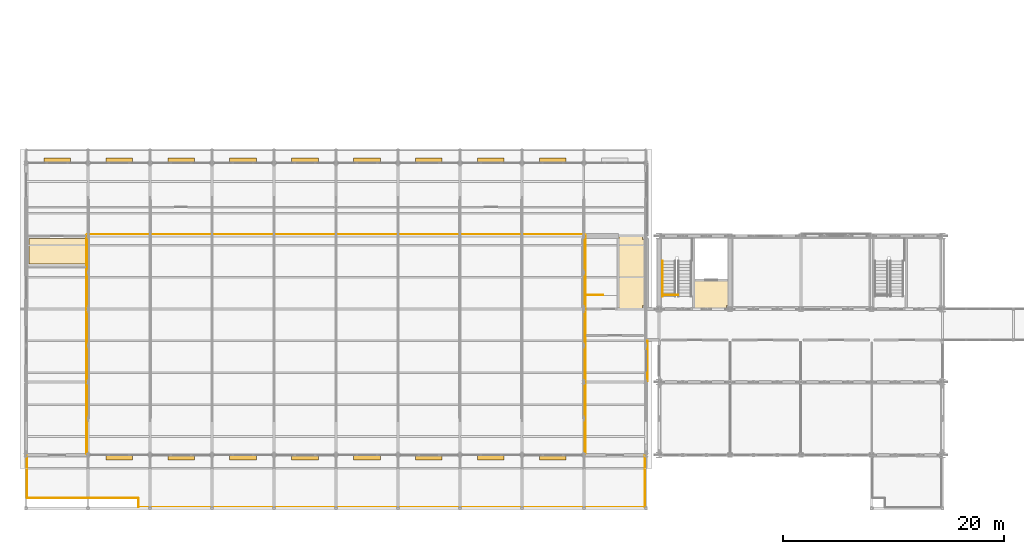
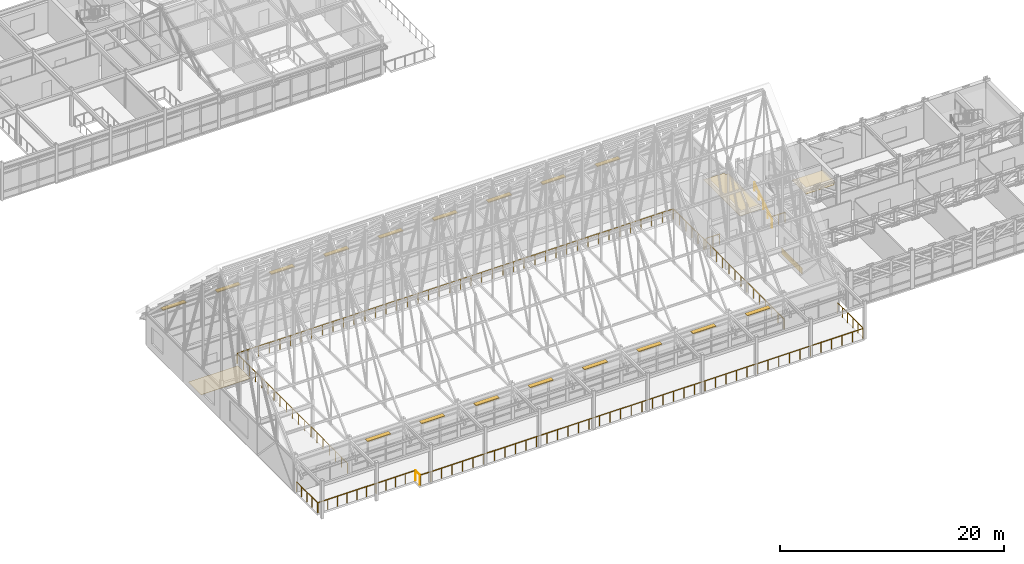
# One storey, part 139 of 144: 17 shading devices, 11 railings, 4 coverings.
"""IFC4 building model written with IfcOpenShell, lengths in metres."""

from ifc_helpers import new_model, si_unit, direction, frame, origin, origin_2d, place, context, subcontext, project, spatial, polyline, rectangle, circle, outline, extrude, material, layer, layer_set, type_object, element, save


model = new_model("IFC4")

# Units and contexts
model_context = context("Model", 3, precision=1e-05, world=origin(), true_north=direction((0.0, 1.0)))
body_context = subcontext(model_context, "Body", "Model", "MODEL_VIEW")
ifc_project = project(units=[si_unit("LENGTHUNIT", "METRE"), si_unit("AREAUNIT", "SQUARE_METRE"), si_unit("VOLUMEUNIT", "CUBIC_METRE"), si_unit("PLANEANGLEUNIT", "RADIAN"), si_unit("MASSUNIT", "GRAM", prefix="KILO")], contexts=[model_context])

# Site, building, storey
site_placement = place(None, origin())
site = spatial("IfcSite", under=ifc_project, at=site_placement, CompositionType="ELEMENT")
building_placement = place(site_placement, origin())
building = spatial("IfcBuilding", under=site, at=building_placement, Name="Trelmorton Wharf Fire Station", CompositionType="ELEMENT")
storey_placement = place(building_placement, frame((0.0, 0.0, 5.39990234375)))
storey = spatial("IfcBuildingStorey", under=building, at=storey_placement, Name="L01", CompositionType="ELEMENT", Elevation=5.39990234375)

# Coverings
ifc_material_1 = material(Name="Mineral fibre acoustic ceiling")
ifc_layer_1 = layer(ifc_material_1, 0.02001953125)
ifc_layer_set_1 = layer_set([ifc_layer_1], Name="Mineral fibre acoustic ceiling")
covering_type_1 = type_object("IfcCoveringType", Name="CV_CEIL_ACOU", PredefinedType="CEILING", material=ifc_layer_set_1)
covering_1_placement = place(storey_placement, frame((0.0, 0.0, 3.280029296875)))
element("IfcCovering", 1, at=covering_1_placement, inside=storey, type_object=covering_type_1, Name="CV-CLG-002", PredefinedType="CEILING", context=body_context, shape_type="SweptSolid", body=[
    extrude(outline(polyline([(54.360107421875, 27.56005859375), (56.5, 27.56005859375), (56.5, 27.300048828125), (56.760009765625, 27.300048828125), (56.760009765625, 21.300048828125), (56.5, 21.300048828125), (56.5, 21.0400390625), (54.360107421875, 21.0400390625), (54.360107421875, 27.56005859375)])), origin(), (0.0, 0.0, 1.0), 0.02001953125),
])
covering_2_placement = place(storey_placement, frame((0.0, 0.0, 3.280029296875)))
element("IfcCovering", 2, at=covering_2_placement, inside=storey, type_object=covering_type_1, Name="CV-CLG-004", PredefinedType="CEILING", context=body_context, shape_type="SweptSolid", body=[
    extrude(outline(polyline([(61.159912109375, 21.0400390625), (61.159912109375, 23.56005859375), (64.360107421875, 23.56005859375), (64.360107421875, 21.300048828125), (64.10009765625, 21.300048828125), (64.10009765625, 21.0400390625), (61.159912109375, 21.0400390625)])), origin(), (0.0, 0.0, 1.0), 0.02001953125),
])
ifc_material_2 = material(Name="Architectural terracotta cladding", Category="masonry")
ifc_layer_2 = layer(ifc_material_2, 0.044921875)
ifc_layer_set_2 = layer_set([ifc_layer_2], Name="Architectural terracotta cladding")
covering_type_2 = type_object("IfcCoveringType", Name="CV_CLAD_TER", PredefinedType="CLADDING", material=ifc_layer_set_2)
covering_3_placement = place(storey_placement, frame((56.965087890625, 16.300048828125, 0.0302734375), z_axis=(0.0, 0.0, 1.0), x_axis=(0.0, -1.0, 0.0)))
element("IfcCovering", 3, at=covering_3_placement, inside=storey, type_object=covering_type_2, Name="CV-TER-0003", PredefinedType="CLADDING", context=body_context, shape_type="SweptSolid", body=[
    extrude(rectangle(XDim=3.669921875, YDim=0.044921875, at=origin_2d()), origin(), (0.0, 0.0, 1.0), 0.659912109375),
])
ifc_material_3 = material(Name="Quarry tile wet-area flooring")
ifc_layer_3 = layer(ifc_material_3, 0.02001953125)
ifc_layer_set_3 = layer_set([ifc_layer_3], Name="Quarry tile wet-area flooring")
covering_type_3 = type_object("IfcCoveringType", Name="CV_FLOR_TILE", PredefinedType="FLOORING", material=ifc_layer_set_3)
covering_4_placement = place(storey_placement, origin())
element("IfcCovering", 4, at=covering_4_placement, inside=storey, type_object=covering_type_3, Name="CV-FLR-002", PredefinedType="FLOORING", context=body_context, shape_type="SweptSolid", body=[
    extrude(outline(polyline([(6.14990234375, 25.050048828125), (6.14990234375, 27.35009765625), (1.050048828125, 27.35009765625), (1.050048828125, 25.050048828125), (6.14990234375, 25.050048828125)])), origin(), (0.0, 0.0, 1.0), 0.02001953125),
])

# Railings
ifc_material_4 = material(Name="Signal-red architectural steel Grade 350", Category="steel")
railing_type_1 = type_object("IfcRailingType", Name="RL_BAL_RED", PredefinedType="BALUSTRADE", material=ifc_material_4)
railing_1_placement = place(storey_placement, frame((6.280029296875, 7.919921875, 0.0)))
element("IfcRailing", 5, at=railing_1_placement, inside=storey, type_object=railing_type_1, Name="RL-DECK-L01-001", PredefinedType="BALUSTRADE", context=body_context, shape_type="SweptSolid", body=[
    extrude(circle(Radius=0.02392578125, at=origin_2d()), frame((0.0, 0.0, 1.09619140625), z_axis=(0.0, 1.0, 0.0), x_axis=(-1.0, 0.0, 0.0)), (0.0, 0.0, 1.0), 19.760009765625),
    extrude(circle(Radius=0.02099609375, at=origin_2d()), origin(), (0.0, 0.0, 1.0), 1.072021484375),
    extrude(circle(Radius=0.02099609375, at=origin_2d()), frame((0.0, 1.09765625, 0.0)), (0.0, 0.0, 1.0), 1.072021484375),
    extrude(circle(Radius=0.02099609375, at=origin_2d()), frame((0.0, 2.195556640625, 0.0)), (0.0, 0.0, 1.0), 1.072021484375),
    extrude(circle(Radius=0.02099609375, at=origin_2d()), frame((0.0, 3.29345703125, 0.0)), (0.0, 0.0, 1.0), 1.072021484375),
    extrude(circle(Radius=0.02099609375, at=origin_2d()), frame((0.0, 4.39111328125, 0.0)), (0.0, 0.0, 1.0), 1.072021484375),
    extrude(circle(Radius=0.02099609375, at=origin_2d()), frame((0.0, 5.48876953125, 0.0)), (0.0, 0.0, 1.0), 1.072021484375),
    extrude(circle(Radius=0.02099609375, at=origin_2d()), frame((0.0, 6.586669921875, 0.0)), (0.0, 0.0, 1.0), 1.072021484375),
    extrude(circle(Radius=0.02099609375, at=origin_2d()), frame((0.0, 7.6845703125, 0.0)), (0.0, 0.0, 1.0), 1.072021484375),
    extrude(circle(Radius=0.02099609375, at=origin_2d()), frame((0.0, 8.7822265625, 0.0)), (0.0, 0.0, 1.0), 1.072021484375),
    extrude(circle(Radius=0.02099609375, at=origin_2d()), frame((0.0, 9.8798828125, 0.0)), (0.0, 0.0, 1.0), 1.072021484375),
    extrude(circle(Radius=0.02099609375, at=origin_2d()), frame((0.0, 10.977783203125, 0.0)), (0.0, 0.0, 1.0), 1.072021484375),
    extrude(circle(Radius=0.02099609375, at=origin_2d()), frame((0.0, 12.07568359375, 0.0)), (0.0, 0.0, 1.0), 1.072021484375),
    extrude(circle(Radius=0.02099609375, at=origin_2d()), frame((0.0, 13.17333984375, 0.0)), (0.0, 0.0, 1.0), 1.072021484375),
    extrude(circle(Radius=0.02099609375, at=origin_2d()), frame((0.0, 14.27099609375, 0.0)), (0.0, 0.0, 1.0), 1.072021484375),
    extrude(circle(Radius=0.02099609375, at=origin_2d()), frame((0.0, 15.368896484375, 0.0)), (0.0, 0.0, 1.0), 1.072021484375),
    extrude(circle(Radius=0.02099609375, at=origin_2d()), frame((0.0, 16.466796875, 0.0)), (0.0, 0.0, 1.0), 1.072021484375),
    extrude(circle(Radius=0.02099609375, at=origin_2d()), frame((0.0, 17.564453125, 0.0)), (0.0, 0.0, 1.0), 1.072021484375),
    extrude(circle(Radius=0.02099609375, at=origin_2d()), frame((0.0, 18.662109375, 0.0)), (0.0, 0.0, 1.0), 1.072021484375),
    extrude(circle(Radius=0.02099609375, at=origin_2d()), frame((0.0, 19.760009765625, 0.0)), (0.0, 0.0, 1.0), 1.072021484375),
])
railing_2_placement = place(storey_placement, frame((6.320068359375, 27.719970703125, 0.0)))
element("IfcRailing", 6, at=railing_2_placement, inside=storey, type_object=railing_type_1, Name="RL-DECK-L01-002", PredefinedType="BALUSTRADE", context=body_context, shape_type="SweptSolid", body=[
    extrude(circle(Radius=0.02392578125, at=origin_2d()), frame((0.0, 0.0, 1.09619140625), z_axis=(1.0, 0.0, 0.0), x_axis=(0.0, 1.0, 0.0)), (0.0, 0.0, 1.0), 44.9599609375),
    extrude(circle(Radius=0.02099609375, at=origin_2d()), origin(), (0.0, 0.0, 1.0), 1.072021484375),
    extrude(circle(Radius=0.02099609375, at=origin_2d()), frame((1.0966796875, 0.0, 0.0)), (0.0, 0.0, 1.0), 1.072021484375),
    extrude(circle(Radius=0.02099609375, at=origin_2d()), frame((2.193115234375, 0.0, 0.0)), (0.0, 0.0, 1.0), 1.072021484375),
    extrude(circle(Radius=0.02099609375, at=origin_2d()), frame((3.289794921875, 0.0, 0.0)), (0.0, 0.0, 1.0), 1.072021484375),
    extrude(circle(Radius=0.02099609375, at=origin_2d()), frame((4.38623046875, 0.0, 0.0)), (0.0, 0.0, 1.0), 1.072021484375),
    extrude(circle(Radius=0.02099609375, at=origin_2d()), frame((5.48291015625, 0.0, 0.0)), (0.0, 0.0, 1.0), 1.072021484375),
    extrude(circle(Radius=0.02099609375, at=origin_2d()), frame((6.57958984375, 0.0, 0.0)), (0.0, 0.0, 1.0), 1.072021484375),
    extrude(circle(Radius=0.02099609375, at=origin_2d()), frame((7.676025390625, 0.0, 0.0)), (0.0, 0.0, 1.0), 1.072021484375),
    extrude(circle(Radius=0.02099609375, at=origin_2d()), frame((8.772705078125, 0.0, 0.0)), (0.0, 0.0, 1.0), 1.072021484375),
    extrude(circle(Radius=0.02099609375, at=origin_2d()), frame((9.869140625, 0.0, 0.0)), (0.0, 0.0, 1.0), 1.072021484375),
    extrude(circle(Radius=0.02099609375, at=origin_2d()), frame((10.9658203125, 0.0, 0.0)), (0.0, 0.0, 1.0), 1.072021484375),
    extrude(circle(Radius=0.02099609375, at=origin_2d()), frame((12.0625, 0.0, 0.0)), (0.0, 0.0, 1.0), 1.072021484375),
    extrude(circle(Radius=0.02099609375, at=origin_2d()), frame((13.158935546875, 0.0, 0.0)), (0.0, 0.0, 1.0), 1.072021484375),
    extrude(circle(Radius=0.02099609375, at=origin_2d()), frame((14.255615234375, 0.0, 0.0)), (0.0, 0.0, 1.0), 1.072021484375),
    extrude(circle(Radius=0.02099609375, at=origin_2d()), frame((15.352294921875, 0.0, 0.0)), (0.0, 0.0, 1.0), 1.072021484375),
    extrude(circle(Radius=0.02099609375, at=origin_2d()), frame((16.44873046875, 0.0, 0.0)), (0.0, 0.0, 1.0), 1.072021484375),
    extrude(circle(Radius=0.02099609375, at=origin_2d()), frame((17.54541015625, 0.0, 0.0)), (0.0, 0.0, 1.0), 1.072021484375),
    extrude(circle(Radius=0.02099609375, at=origin_2d()), frame((18.641845703125, 0.0, 0.0)), (0.0, 0.0, 1.0), 1.072021484375),
    extrude(circle(Radius=0.02099609375, at=origin_2d()), frame((19.738525390625, 0.0, 0.0)), (0.0, 0.0, 1.0), 1.072021484375),
    extrude(circle(Radius=0.02099609375, at=origin_2d()), frame((20.835205078125, 0.0, 0.0)), (0.0, 0.0, 1.0), 1.072021484375),
    extrude(circle(Radius=0.02099609375, at=origin_2d()), frame((21.931640625, 0.0, 0.0)), (0.0, 0.0, 1.0), 1.072021484375),
    extrude(circle(Radius=0.02099609375, at=origin_2d()), frame((23.0283203125, 0.0, 0.0)), (0.0, 0.0, 1.0), 1.072021484375),
    extrude(circle(Radius=0.02099609375, at=origin_2d()), frame((24.124755859375, 0.0, 0.0)), (0.0, 0.0, 1.0), 1.072021484375),
    extrude(circle(Radius=0.02099609375, at=origin_2d()), frame((25.221435546875, 0.0, 0.0)), (0.0, 0.0, 1.0), 1.072021484375),
    extrude(circle(Radius=0.02099609375, at=origin_2d()), frame((26.318115234375, 0.0, 0.0)), (0.0, 0.0, 1.0), 1.072021484375),
    extrude(circle(Radius=0.02099609375, at=origin_2d()), frame((27.41455078125, 0.0, 0.0)), (0.0, 0.0, 1.0), 1.072021484375),
    extrude(circle(Radius=0.02099609375, at=origin_2d()), frame((28.51123046875, 0.0, 0.0)), (0.0, 0.0, 1.0), 1.072021484375),
    extrude(circle(Radius=0.02099609375, at=origin_2d()), frame((29.607666015625, 0.0, 0.0)), (0.0, 0.0, 1.0), 1.072021484375),
    extrude(circle(Radius=0.02099609375, at=origin_2d()), frame((30.704345703125, 0.0, 0.0)), (0.0, 0.0, 1.0), 1.072021484375),
    extrude(circle(Radius=0.02099609375, at=origin_2d()), frame((31.801025390625, 0.0, 0.0)), (0.0, 0.0, 1.0), 1.072021484375),
    extrude(circle(Radius=0.02099609375, at=origin_2d()), frame((32.8974609375, 0.0, 0.0)), (0.0, 0.0, 1.0), 1.072021484375),
    extrude(circle(Radius=0.02099609375, at=origin_2d()), frame((33.994140625, 0.0, 0.0)), (0.0, 0.0, 1.0), 1.072021484375),
    extrude(circle(Radius=0.02099609375, at=origin_2d()), frame((35.0908203125, 0.0, 0.0)), (0.0, 0.0, 1.0), 1.072021484375),
    extrude(circle(Radius=0.02099609375, at=origin_2d()), frame((36.187255859375, 0.0, 0.0)), (0.0, 0.0, 1.0), 1.072021484375),
    extrude(circle(Radius=0.02099609375, at=origin_2d()), frame((37.283935546875, 0.0, 0.0)), (0.0, 0.0, 1.0), 1.072021484375),
    extrude(circle(Radius=0.02099609375, at=origin_2d()), frame((38.38037109375, 0.0, 0.0)), (0.0, 0.0, 1.0), 1.072021484375),
    extrude(circle(Radius=0.02099609375, at=origin_2d()), frame((39.47705078125, 0.0, 0.0)), (0.0, 0.0, 1.0), 1.072021484375),
    extrude(circle(Radius=0.02099609375, at=origin_2d()), frame((40.57373046875, 0.0, 0.0)), (0.0, 0.0, 1.0), 1.072021484375),
    extrude(circle(Radius=0.02099609375, at=origin_2d()), frame((41.670166015625, 0.0, 0.0)), (0.0, 0.0, 1.0), 1.072021484375),
    extrude(circle(Radius=0.02099609375, at=origin_2d()), frame((42.766845703125, 0.0, 0.0)), (0.0, 0.0, 1.0), 1.072021484375),
    extrude(circle(Radius=0.02099609375, at=origin_2d()), frame((43.86328125, 0.0, 0.0)), (0.0, 0.0, 1.0), 1.072021484375),
    extrude(circle(Radius=0.02099609375, at=origin_2d()), frame((44.9599609375, 0.0, 0.0)), (0.0, 0.0, 1.0), 1.072021484375),
])
railing_3_placement = place(storey_placement, frame((51.320068359375, 27.679931640625, 0.0)))
element("IfcRailing", 7, at=railing_3_placement, inside=storey, type_object=railing_type_1, Name="RL-DECK-L01-003", PredefinedType="BALUSTRADE", context=body_context, shape_type="SweptSolid", body=[
    extrude(circle(Radius=0.02392578125, at=origin_2d()), frame((0.0, 0.0, 1.09619140625), z_axis=(0.0, -1.0, 0.0), x_axis=(1.0, 0.0, 0.0)), (0.0, 0.0, 1.0), 19.760009765625),
    extrude(circle(Radius=0.02099609375, at=origin_2d()), origin(), (0.0, 0.0, 1.0), 1.072021484375),
    extrude(circle(Radius=0.02099609375, at=origin_2d()), frame((0.0, -1.09765625, 0.0)), (0.0, 0.0, 1.0), 1.072021484375),
    extrude(circle(Radius=0.02099609375, at=origin_2d()), frame((0.0, -2.195556640625, 0.0)), (0.0, 0.0, 1.0), 1.072021484375),
    extrude(circle(Radius=0.02099609375, at=origin_2d()), frame((0.0, -3.29345703125, 0.0)), (0.0, 0.0, 1.0), 1.072021484375),
    extrude(circle(Radius=0.02099609375, at=origin_2d()), frame((0.0, -4.39111328125, 0.0)), (0.0, 0.0, 1.0), 1.072021484375),
    extrude(circle(Radius=0.02099609375, at=origin_2d()), frame((0.0, -5.48876953125, 0.0)), (0.0, 0.0, 1.0), 1.072021484375),
    extrude(circle(Radius=0.02099609375, at=origin_2d()), frame((0.0, -6.586669921875, 0.0)), (0.0, 0.0, 1.0), 1.072021484375),
    extrude(circle(Radius=0.02099609375, at=origin_2d()), frame((0.0, -7.6845703125, 0.0)), (0.0, 0.0, 1.0), 1.072021484375),
    extrude(circle(Radius=0.02099609375, at=origin_2d()), frame((0.0, -8.7822265625, 0.0)), (0.0, 0.0, 1.0), 1.072021484375),
    extrude(circle(Radius=0.02099609375, at=origin_2d()), frame((0.0, -9.8798828125, 0.0)), (0.0, 0.0, 1.0), 1.072021484375),
    extrude(circle(Radius=0.02099609375, at=origin_2d()), frame((0.0, -10.977783203125, 0.0)), (0.0, 0.0, 1.0), 1.072021484375),
    extrude(circle(Radius=0.02099609375, at=origin_2d()), frame((0.0, -12.07568359375, 0.0)), (0.0, 0.0, 1.0), 1.072021484375),
    extrude(circle(Radius=0.02099609375, at=origin_2d()), frame((0.0, -13.17333984375, 0.0)), (0.0, 0.0, 1.0), 1.072021484375),
    extrude(circle(Radius=0.02099609375, at=origin_2d()), frame((0.0, -14.27099609375, 0.0)), (0.0, 0.0, 1.0), 1.072021484375),
    extrude(circle(Radius=0.02099609375, at=origin_2d()), frame((0.0, -15.368896484375, 0.0)), (0.0, 0.0, 1.0), 1.072021484375),
    extrude(circle(Radius=0.02099609375, at=origin_2d()), frame((0.0, -16.466796875, 0.0)), (0.0, 0.0, 1.0), 1.072021484375),
    extrude(circle(Radius=0.02099609375, at=origin_2d()), frame((0.0, -17.564453125, 0.0)), (0.0, 0.0, 1.0), 1.072021484375),
    extrude(circle(Radius=0.02099609375, at=origin_2d()), frame((0.0, -18.662109375, 0.0)), (0.0, 0.0, 1.0), 1.072021484375),
    extrude(circle(Radius=0.02099609375, at=origin_2d()), frame((0.0, -19.760009765625, 0.0)), (0.0, 0.0, 1.0), 1.072021484375),
])
railing_4_placement = place(storey_placement, frame((0.8798828125, 7.760009765625, 0.0)))
element("IfcRailing", 8, at=railing_4_placement, inside=storey, type_object=railing_type_1, Name="RL-DECK-L01-008", PredefinedType="BALUSTRADE", context=body_context, shape_type="SweptSolid", body=[
    extrude(circle(Radius=0.02392578125, at=origin_2d()), frame((0.0, 0.0, 1.09619140625), z_axis=(0.0, -1.0, 0.0), x_axis=(1.0, 0.0, 0.0)), (0.0, 0.0, 1.0), 3.780029296875),
    extrude(circle(Radius=0.02099609375, at=origin_2d()), origin(), (0.0, 0.0, 1.0), 1.072021484375),
    extrude(circle(Radius=0.02099609375, at=origin_2d()), frame((0.0, -0.945068359375, 0.0)), (0.0, 0.0, 1.0), 1.072021484375),
    extrude(circle(Radius=0.02099609375, at=origin_2d()), frame((0.0, -1.89013671875, 0.0)), (0.0, 0.0, 1.0), 1.072021484375),
    extrude(circle(Radius=0.02099609375, at=origin_2d()), frame((0.0, -2.8349609375, 0.0)), (0.0, 0.0, 1.0), 1.072021484375),
    extrude(circle(Radius=0.02099609375, at=origin_2d()), frame((0.0, -3.780029296875, 0.0)), (0.0, 0.0, 1.0), 1.072021484375),
])
railing_5_placement = place(storey_placement, frame((0.919921875, 3.93994140625, 0.0)))
element("IfcRailing", 9, at=railing_5_placement, inside=storey, type_object=railing_type_1, Name="RL-DECK-L01-009", PredefinedType="BALUSTRADE", context=body_context, shape_type="SweptSolid", body=[
    extrude(circle(Radius=0.02392578125, at=origin_2d()), frame((0.0, 0.0, 1.09619140625), z_axis=(1.0, 0.0, 0.0), x_axis=(0.0, 1.0, 0.0)), (0.0, 0.0, 1.0), 10.0),
    extrude(circle(Radius=0.02099609375, at=origin_2d()), origin(), (0.0, 0.0, 1.0), 1.072021484375),
    extrude(circle(Radius=0.02099609375, at=origin_2d()), frame((1.0, 0.0, 0.0)), (0.0, 0.0, 1.0), 1.072021484375),
    extrude(circle(Radius=0.02099609375, at=origin_2d()), frame((2.0, 0.0, 0.0)), (0.0, 0.0, 1.0), 1.072021484375),
    extrude(circle(Radius=0.02099609375, at=origin_2d()), frame((3.0, 0.0, 0.0)), (0.0, 0.0, 1.0), 1.072021484375),
    extrude(circle(Radius=0.02099609375, at=origin_2d()), frame((4.0, 0.0, 0.0)), (0.0, 0.0, 1.0), 1.072021484375),
    extrude(circle(Radius=0.02099609375, at=origin_2d()), frame((5.0, 0.0, 0.0)), (0.0, 0.0, 1.0), 1.072021484375),
    extrude(circle(Radius=0.02099609375, at=origin_2d()), frame((6.0, 0.0, 0.0)), (0.0, 0.0, 1.0), 1.072021484375),
    extrude(circle(Radius=0.02099609375, at=origin_2d()), frame((7.0, 0.0, 0.0)), (0.0, 0.0, 1.0), 1.072021484375),
    extrude(circle(Radius=0.02099609375, at=origin_2d()), frame((8.0, 0.0, 0.0)), (0.0, 0.0, 1.0), 1.072021484375),
    extrude(circle(Radius=0.02099609375, at=origin_2d()), frame((9.0, 0.0, 0.0)), (0.0, 0.0, 1.0), 1.072021484375),
    extrude(circle(Radius=0.02099609375, at=origin_2d()), frame((10.0, 0.0, 0.0)), (0.0, 0.0, 1.0), 1.072021484375),
])
railing_6_placement = place(storey_placement, frame((10.9599609375, 3.89990234375, 0.0)))
element("IfcRailing", 10, at=railing_6_placement, inside=storey, type_object=railing_type_1, Name="RL-DECK-L01-010", PredefinedType="BALUSTRADE", context=body_context, shape_type="SweptSolid", body=[
    extrude(circle(Radius=0.02392578125, at=origin_2d()), frame((0.0, 0.0, 1.09619140625), z_axis=(0.0, -1.0, 0.0), x_axis=(1.0, 0.0, 0.0)), (0.0, 0.0, 1.0), 0.77978515625),
    extrude(circle(Radius=0.02099609375, at=origin_2d()), origin(), (0.0, 0.0, 1.0), 1.072021484375),
    extrude(circle(Radius=0.02099609375, at=origin_2d()), frame((0.0, -0.77978515625, 0.0)), (0.0, 0.0, 1.0), 1.072021484375),
])
railing_7_placement = place(storey_placement, frame((11.0, 3.080078125, 0.0)))
element("IfcRailing", 11, at=railing_7_placement, inside=storey, type_object=railing_type_1, Name="RL-DECK-L01-011", PredefinedType="BALUSTRADE", context=body_context, shape_type="SweptSolid", body=[
    extrude(circle(Radius=0.02392578125, at=origin_2d()), frame((0.0, 0.0, 1.09619140625), z_axis=(1.0, 0.0, 0.0), x_axis=(0.0, 1.0, 0.0)), (0.0, 0.0, 1.0), 45.679931640625),
    extrude(circle(Radius=0.02099609375, at=origin_2d()), origin(), (0.0, 0.0, 1.0), 1.072021484375),
    extrude(circle(Radius=0.02099609375, at=origin_2d()), frame((1.087646484375, 0.0, 0.0)), (0.0, 0.0, 1.0), 1.072021484375),
    extrude(circle(Radius=0.02099609375, at=origin_2d()), frame((2.17529296875, 0.0, 0.0)), (0.0, 0.0, 1.0), 1.072021484375),
    extrude(circle(Radius=0.02099609375, at=origin_2d()), frame((3.262939453125, 0.0, 0.0)), (0.0, 0.0, 1.0), 1.072021484375),
    extrude(circle(Radius=0.02099609375, at=origin_2d()), frame((4.3505859375, 0.0, 0.0)), (0.0, 0.0, 1.0), 1.072021484375),
    extrude(circle(Radius=0.02099609375, at=origin_2d()), frame((5.43798828125, 0.0, 0.0)), (0.0, 0.0, 1.0), 1.072021484375),
    extrude(circle(Radius=0.02099609375, at=origin_2d()), frame((6.525634765625, 0.0, 0.0)), (0.0, 0.0, 1.0), 1.072021484375),
    extrude(circle(Radius=0.02099609375, at=origin_2d()), frame((7.61328125, 0.0, 0.0)), (0.0, 0.0, 1.0), 1.072021484375),
    extrude(circle(Radius=0.02099609375, at=origin_2d()), frame((8.700927734375, 0.0, 0.0)), (0.0, 0.0, 1.0), 1.072021484375),
    extrude(circle(Radius=0.02099609375, at=origin_2d()), frame((9.78857421875, 0.0, 0.0)), (0.0, 0.0, 1.0), 1.072021484375),
    extrude(circle(Radius=0.02099609375, at=origin_2d()), frame((10.876220703125, 0.0, 0.0)), (0.0, 0.0, 1.0), 1.072021484375),
    extrude(circle(Radius=0.02099609375, at=origin_2d()), frame((11.9638671875, 0.0, 0.0)), (0.0, 0.0, 1.0), 1.072021484375),
    extrude(circle(Radius=0.02099609375, at=origin_2d()), frame((13.051513671875, 0.0, 0.0)), (0.0, 0.0, 1.0), 1.072021484375),
    extrude(circle(Radius=0.02099609375, at=origin_2d()), frame((14.138916015625, 0.0, 0.0)), (0.0, 0.0, 1.0), 1.072021484375),
    extrude(circle(Radius=0.02099609375, at=origin_2d()), frame((15.2265625, 0.0, 0.0)), (0.0, 0.0, 1.0), 1.072021484375),
    extrude(circle(Radius=0.02099609375, at=origin_2d()), frame((16.314208984375, 0.0, 0.0)), (0.0, 0.0, 1.0), 1.072021484375),
    extrude(circle(Radius=0.02099609375, at=origin_2d()), frame((17.40185546875, 0.0, 0.0)), (0.0, 0.0, 1.0), 1.072021484375),
    extrude(circle(Radius=0.02099609375, at=origin_2d()), frame((18.489501953125, 0.0, 0.0)), (0.0, 0.0, 1.0), 1.072021484375),
    extrude(circle(Radius=0.02099609375, at=origin_2d()), frame((19.5771484375, 0.0, 0.0)), (0.0, 0.0, 1.0), 1.072021484375),
    extrude(circle(Radius=0.02099609375, at=origin_2d()), frame((20.664794921875, 0.0, 0.0)), (0.0, 0.0, 1.0), 1.072021484375),
    extrude(circle(Radius=0.02099609375, at=origin_2d()), frame((21.75244140625, 0.0, 0.0)), (0.0, 0.0, 1.0), 1.072021484375),
    extrude(circle(Radius=0.02099609375, at=origin_2d()), frame((22.83984375, 0.0, 0.0)), (0.0, 0.0, 1.0), 1.072021484375),
    extrude(circle(Radius=0.02099609375, at=origin_2d()), frame((23.927490234375, 0.0, 0.0)), (0.0, 0.0, 1.0), 1.072021484375),
    extrude(circle(Radius=0.02099609375, at=origin_2d()), frame((25.01513671875, 0.0, 0.0)), (0.0, 0.0, 1.0), 1.072021484375),
    extrude(circle(Radius=0.02099609375, at=origin_2d()), frame((26.102783203125, 0.0, 0.0)), (0.0, 0.0, 1.0), 1.072021484375),
    extrude(circle(Radius=0.02099609375, at=origin_2d()), frame((27.1904296875, 0.0, 0.0)), (0.0, 0.0, 1.0), 1.072021484375),
    extrude(circle(Radius=0.02099609375, at=origin_2d()), frame((28.278076171875, 0.0, 0.0)), (0.0, 0.0, 1.0), 1.072021484375),
    extrude(circle(Radius=0.02099609375, at=origin_2d()), frame((29.36572265625, 0.0, 0.0)), (0.0, 0.0, 1.0), 1.072021484375),
    extrude(circle(Radius=0.02099609375, at=origin_2d()), frame((30.453369140625, 0.0, 0.0)), (0.0, 0.0, 1.0), 1.072021484375),
    extrude(circle(Radius=0.02099609375, at=origin_2d()), frame((31.541015625, 0.0, 0.0)), (0.0, 0.0, 1.0), 1.072021484375),
    extrude(circle(Radius=0.02099609375, at=origin_2d()), frame((32.62841796875, 0.0, 0.0)), (0.0, 0.0, 1.0), 1.072021484375),
    extrude(circle(Radius=0.02099609375, at=origin_2d()), frame((33.716064453125, 0.0, 0.0)), (0.0, 0.0, 1.0), 1.072021484375),
    extrude(circle(Radius=0.02099609375, at=origin_2d()), frame((34.8037109375, 0.0, 0.0)), (0.0, 0.0, 1.0), 1.072021484375),
    extrude(circle(Radius=0.02099609375, at=origin_2d()), frame((35.891357421875, 0.0, 0.0)), (0.0, 0.0, 1.0), 1.072021484375),
    extrude(circle(Radius=0.02099609375, at=origin_2d()), frame((36.97900390625, 0.0, 0.0)), (0.0, 0.0, 1.0), 1.072021484375),
    extrude(circle(Radius=0.02099609375, at=origin_2d()), frame((38.066650390625, 0.0, 0.0)), (0.0, 0.0, 1.0), 1.072021484375),
    extrude(circle(Radius=0.02099609375, at=origin_2d()), frame((39.154296875, 0.0, 0.0)), (0.0, 0.0, 1.0), 1.072021484375),
    extrude(circle(Radius=0.02099609375, at=origin_2d()), frame((40.241943359375, 0.0, 0.0)), (0.0, 0.0, 1.0), 1.072021484375),
    extrude(circle(Radius=0.02099609375, at=origin_2d()), frame((41.329345703125, 0.0, 0.0)), (0.0, 0.0, 1.0), 1.072021484375),
    extrude(circle(Radius=0.02099609375, at=origin_2d()), frame((42.4169921875, 0.0, 0.0)), (0.0, 0.0, 1.0), 1.072021484375),
    extrude(circle(Radius=0.02099609375, at=origin_2d()), frame((43.504638671875, 0.0, 0.0)), (0.0, 0.0, 1.0), 1.072021484375),
    extrude(circle(Radius=0.02099609375, at=origin_2d()), frame((44.59228515625, 0.0, 0.0)), (0.0, 0.0, 1.0), 1.072021484375),
    extrude(circle(Radius=0.02099609375, at=origin_2d()), frame((45.679931640625, 0.0, 0.0)), (0.0, 0.0, 1.0), 1.072021484375),
])
railing_8_placement = place(storey_placement, frame((56.719970703125, 3.1201171875, 0.0)))
element("IfcRailing", 12, at=railing_8_placement, inside=storey, type_object=railing_type_1, Name="RL-DECK-L01-012", PredefinedType="BALUSTRADE", context=body_context, shape_type="SweptSolid", body=[
    extrude(circle(Radius=0.02392578125, at=origin_2d()), frame((0.0, 0.0, 1.09619140625), z_axis=(0.0, 1.0, 0.0), x_axis=(-1.0, 0.0, 0.0)), (0.0, 0.0, 1.0), 4.639892578125),
    extrude(circle(Radius=0.02099609375, at=origin_2d()), origin(), (0.0, 0.0, 1.0), 1.072021484375),
    extrude(circle(Radius=0.02099609375, at=origin_2d()), frame((0.0, 0.927978515625, 0.0)), (0.0, 0.0, 1.0), 1.072021484375),
    extrude(circle(Radius=0.02099609375, at=origin_2d()), frame((0.0, 1.85595703125, 0.0)), (0.0, 0.0, 1.0), 1.072021484375),
    extrude(circle(Radius=0.02099609375, at=origin_2d()), frame((0.0, 2.783935546875, 0.0)), (0.0, 0.0, 1.0), 1.072021484375),
    extrude(circle(Radius=0.02099609375, at=origin_2d()), frame((0.0, 3.7119140625, 0.0)), (0.0, 0.0, 1.0), 1.072021484375),
    extrude(circle(Radius=0.02099609375, at=origin_2d()), frame((0.0, 4.639892578125, 0.0)), (0.0, 0.0, 1.0), 1.072021484375),
])
ifc_material_5 = material(Name="Stainless steel 316 marine grade", Category="steel")
railing_type_2 = type_object("IfcRailingType", Name="RL_HAND_900", PredefinedType="HANDRAIL", material=ifc_material_5)
railing_9_placement = place(storey_placement, frame((58.31005859375, 22.139892578125, 0.0)))
element("IfcRailing", 13, at=railing_9_placement, inside=storey, type_object=railing_type_2, Name="RL-HR1-STR-C2-L01-03", PredefinedType="HANDRAIL", context=body_context, shape_type="SweptSolid", body=[
    extrude(circle(Radius=0.02099609375, at=origin_2d()), frame((0.0, 0.0, 0.87890625), z_axis=(0.0, 0.835261802243, 0.549852454495), x_axis=(-1.0, 0.0, 0.0)), (0.0, 0.0, 1.0), 3.8193359375),
    extrude(circle(Radius=0.02099609375, at=origin_2d()), origin(), (0.0, 0.0, 1.0), 0.85791015625),
    extrude(circle(Radius=0.02099609375, at=origin_2d()), frame((0.0, 0.797607421875, 0.52490234375)), (0.0, 0.0, 1.0), 0.85791015625),
    extrude(circle(Radius=0.02099609375, at=origin_2d()), frame((0.0, 1.59521484375, 1.050048828125)), (0.0, 0.0, 1.0), 0.85791015625),
    extrude(circle(Radius=0.02099609375, at=origin_2d()), frame((0.0, 2.392578125, 1.5751953125)), (0.0, 0.0, 1.0), 0.85791015625),
    extrude(circle(Radius=0.02099609375, at=origin_2d()), frame((0.0, 3.190185546875, 2.10009765625)), (0.0, 0.0, 1.0), 0.85791015625),
])
railing_type_3 = type_object("IfcRailingType", Name="RL_WELL_1100", PredefinedType="BALUSTRADE", material=ifc_material_5)
railing_10_placement = place(storey_placement, frame((51.56005859375, 22.260009765625, 0.0)))
element("IfcRailing", 14, at=railing_10_placement, inside=storey, type_object=railing_type_3, Name="RL-UPWELL-STR-C1-L00-01", PredefinedType="BALUSTRADE", context=body_context, shape_type="SweptSolid", body=[
    extrude(circle(Radius=0.02392578125, at=origin_2d()), frame((0.0, 0.0, 1.09619140625), z_axis=(1.0, 0.0, 0.0), x_axis=(0.0, 1.0, 0.0)), (0.0, 0.0, 1.0), 1.3798828125),
    extrude(circle(Radius=0.02099609375, at=origin_2d()), origin(), (0.0, 0.0, 1.0), 1.072021484375),
    extrude(circle(Radius=0.02099609375, at=origin_2d()), frame((0.68994140625, 0.0, 0.0)), (0.0, 0.0, 1.0), 1.072021484375),
    extrude(circle(Radius=0.02099609375, at=origin_2d()), frame((1.3798828125, 0.0, 0.0)), (0.0, 0.0, 1.0), 1.072021484375),
])
railing_11_placement = place(storey_placement, frame((58.360107421875, 22.260009765625, 0.0)))
element("IfcRailing", 15, at=railing_11_placement, inside=storey, type_object=railing_type_3, Name="RL-UPWELL-STR-C2-L00-02", PredefinedType="BALUSTRADE", context=body_context, shape_type="SweptSolid", body=[
    extrude(circle(Radius=0.02392578125, at=origin_2d()), frame((0.0, 0.0, 1.09619140625), z_axis=(1.0, 0.0, 0.0), x_axis=(0.0, 1.0, 0.0)), (0.0, 0.0, 1.0), 1.33984375),
    extrude(circle(Radius=0.02099609375, at=origin_2d()), origin(), (0.0, 0.0, 1.0), 1.072021484375),
    extrude(circle(Radius=0.02099609375, at=origin_2d()), frame((0.669921875, 0.0, 0.0)), (0.0, 0.0, 1.0), 1.072021484375),
    extrude(circle(Radius=0.02099609375, at=origin_2d()), frame((1.33984375, 0.0, 0.0)), (0.0, 0.0, 1.0), 1.072021484375),
])

# Shading devices
ifc_material_6 = material(Name="Anodised aluminium AW-6063", Category="aluminium")
ifc_layer_4 = layer(ifc_material_6, 0.080078125)
ifc_layer_set_4 = layer_set([ifc_layer_4], Name="Anodised aluminium AW-6063")
shading_device_type_1 = type_object("IfcShadingDeviceType", Name="SH_LOUVRE_A", PredefinedType="AWNING", material=ifc_layer_set_4)
for number, where, z_axis, x_axis, name in (
    (16, (3.60009765625, 34.4375, 3.16015625), (0.0, 0.0, 1.0), (1.0, 0.0, 0.0), "SH-LV-009"),
    (17, (9.199951171875, 34.4375, 3.16015625), (0.0, 0.0, 1.0), (1.0, 0.0, 0.0), "SH-LV-010"),
    (18, (14.800048828125, 34.4375, 3.16015625), (0.0, 0.0, 1.0), (1.0, 0.0, 0.0), "SH-LV-011"),
    (19, (20.39990234375, 34.4375, 3.16015625), (0.0, 0.0, 1.0), (1.0, 0.0, 0.0), "SH-LV-012"),
    (20, (26.0, 34.4375, 3.16015625), (0.0, 0.0, 1.0), (1.0, 0.0, 0.0), "SH-LV-013"),
    (21, (31.60009765625, 34.4375, 3.16015625), (0.0, 0.0, 1.0), (1.0, 0.0, 0.0), "SH-LV-014"),
    (22, (37.199951171875, 34.4375, 3.16015625), (0.0, 0.0, 1.0), (1.0, 0.0, 0.0), "SH-LV-015"),
    (23, (42.800048828125, 34.4375, 3.16015625), (0.0, 0.0, 1.0), (1.0, 0.0, 0.0), "SH-LV-016"),
    (24, (48.39990234375, 34.4375, 3.16015625), (0.0, 0.0, 1.0), (1.0, 0.0, 0.0), "SH-LV-017"),
):
    element("IfcShadingDevice", number, at=place(storey_placement, frame(where, z_axis=z_axis, x_axis=x_axis)), inside=storey, type_object=shading_device_type_1, Name=name, PredefinedType="AWNING", context=body_context, shape_type="SweptSolid", body=[
        extrude(rectangle(XDim=2.39990234375, YDim=0.449951171875, at=origin_2d()), origin(), (0.0, 0.0, 1.0), 0.080078125),
    ])
ifc_material_7 = material(Name="Signal-red ribbed aluminium cladding AW-6063", Category="aluminium")
ifc_layer_5 = layer(ifc_material_7, 0.080078125)
ifc_layer_set_5 = layer_set([ifc_layer_5], Name="Signal-red ribbed aluminium cladding AW-6063")
shading_device_type_2 = type_object("IfcShadingDeviceType", Name="SH_LOUVRE_B", PredefinedType="AWNING", material=ifc_layer_set_5)
for number, where, z_axis, x_axis, name in (
    (25, (9.199951171875, 7.570068359375, 3.16015625), (0.0, 0.0, 1.0), (-1.0, 0.0, 0.0), "SH-LV-001"),
    (26, (14.800048828125, 7.570068359375, 3.16015625), (0.0, 0.0, 1.0), (-1.0, 0.0, 0.0), "SH-LV-002"),
    (27, (20.39990234375, 7.570068359375, 3.16015625), (0.0, 0.0, 1.0), (-1.0, 0.0, 0.0), "SH-LV-003"),
    (28, (26.0, 7.570068359375, 3.16015625), (0.0, 0.0, 1.0), (-1.0, 0.0, 0.0), "SH-LV-004"),
    (29, (31.60009765625, 7.570068359375, 3.16015625), (0.0, 0.0, 1.0), (-1.0, 0.0, 0.0), "SH-LV-005"),
    (30, (37.199951171875, 7.570068359375, 3.16015625), (0.0, 0.0, 1.0), (-1.0, 0.0, 0.0), "SH-LV-006"),
    (31, (42.800048828125, 7.570068359375, 3.16015625), (0.0, 0.0, 1.0), (-1.0, 0.0, 0.0), "SH-LV-007"),
    (32, (48.39990234375, 7.570068359375, 3.16015625), (0.0, 0.0, 1.0), (-1.0, 0.0, 0.0), "SH-LV-008"),
):
    element("IfcShadingDevice", number, at=place(storey_placement, frame(where, z_axis=z_axis, x_axis=x_axis)), inside=storey, type_object=shading_device_type_2, Name=name, PredefinedType="AWNING", context=body_context, shape_type="SweptSolid", body=[
        extrude(rectangle(XDim=2.39990234375, YDim=0.449951171875, at=origin_2d()), origin(), (0.0, 0.0, 1.0), 0.080078125),
    ])

save(model, "model.ifc")
